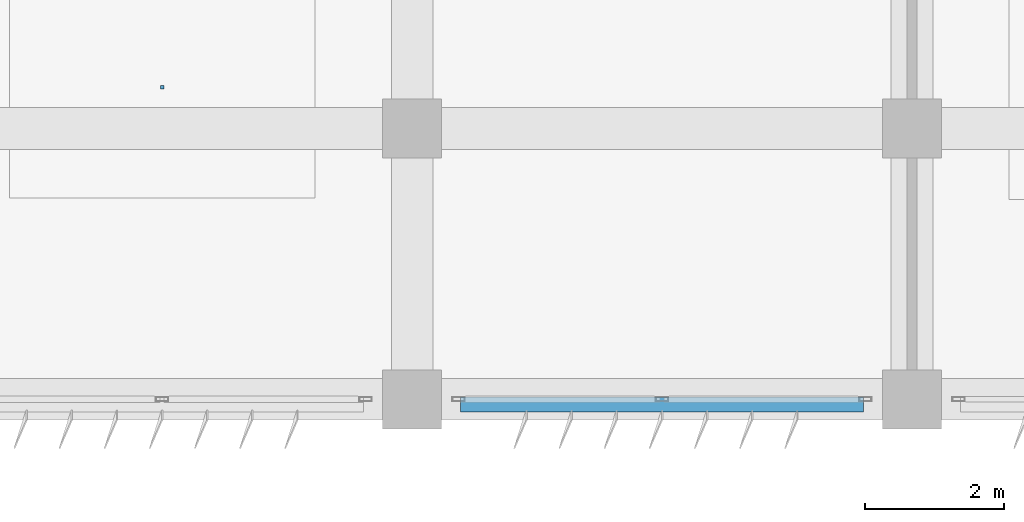
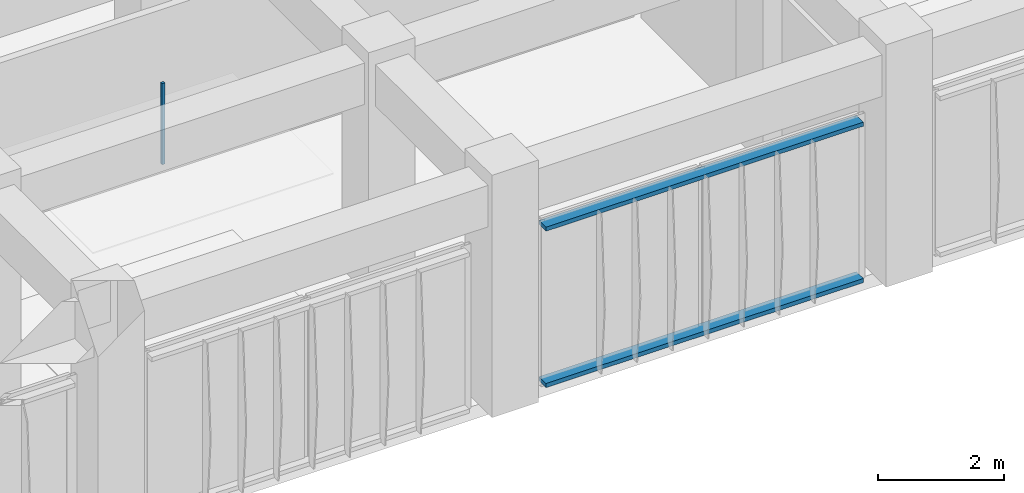
# One storey, part 36 of 55: 3 discrete accessories.
"""IFC4 building model written with IfcOpenShell, lengths in metres."""

from ifc_helpers import new_model, si_unit, direction, frame, origin, origin_2d, place, context, subcontext, project, spatial, rectangle, extrude, material, type_object, element, save


model = new_model("IFC4")

# Units and contexts
model_context = context("Model", 3, precision=1e-05, world=origin(), true_north=direction((0.0, 1.0)))
body_context = subcontext(model_context, "Body", "Model", "MODEL_VIEW")
ifc_project = project(units=[si_unit("LENGTHUNIT", "METRE"), si_unit("AREAUNIT", "SQUARE_METRE"), si_unit("VOLUMEUNIT", "CUBIC_METRE"), si_unit("PLANEANGLEUNIT", "RADIAN"), si_unit("MASSUNIT", "GRAM", prefix="KILO")], contexts=[model_context])

# Site, building, storey
site_placement = place(None, origin())
site = spatial("IfcSite", under=ifc_project, at=site_placement, CompositionType="ELEMENT")
building_placement = place(site_placement, origin())
building = spatial("IfcBuilding", under=site, at=building_placement, Name="Kazehaya Institute of Natural Sciences", CompositionType="ELEMENT")
storey_placement = place(building_placement, frame((0.0, 0.0, 15.1201171875)))
storey = spatial("IfcBuildingStorey", under=building, at=storey_placement, Name="L03", CompositionType="ELEMENT", Elevation=15.1201171875)

# Discrete accessories
ifc_material_1 = material(Name="Aluminium alloy A6063S-T5", Category="aluminium")
discrete_accessory_type_1 = type_object("IfcDiscreteAccessoryType", Name="ACC-BRK-01", PredefinedType="BRACKET", material=ifc_material_1)
for number, where, z_axis, x_axis, name in (
    (1, (72.60009765625, 10.02490234375, 0.039794921875), (0.0, 0.0, 1.0), (-1.0, 0.0, 0.0), "L03 fin support outrigger rail 1"),
    (2, (72.60009765625, 10.02490234375, 3.059814453125), (0.0, 0.0, 1.0), (-1.0, 0.0, 0.0), "L03 fin support outrigger rail 2"),
):
    element("IfcDiscreteAccessory", number, at=place(storey_placement, frame(where, z_axis=z_axis, x_axis=x_axis)), inside=storey, type_object=discrete_accessory_type_1, Name=name, PredefinedType="BRACKET", context=body_context, shape_type="SweptSolid", body=[
        extrude(rectangle(XDim=5.800048828125, YDim=0.219970703125, at=origin_2d()), origin(), (0.0, 0.0, 1.0), 0.080078125),
    ])
ifc_material_2 = material(Name="Structural steel SN490B", Category="steel")
discrete_accessory_type_2 = type_object("IfcDiscreteAccessoryType", Name="ACC-CLG-HGR", PredefinedType="BRACKET", material=ifc_material_2)
discrete_accessory_placement = place(storey_placement, frame((65.40234375, 14.59619140625, 3.032470703125), z_axis=(0.0, 0.0, 1.0), x_axis=(1.0, 0.0, 0.0)))
element("IfcDiscreteAccessory", 3, at=discrete_accessory_placement, inside=storey, type_object=discrete_accessory_type_2, Name="L03 ceiling suspension hanger 32", PredefinedType="BRACKET", context=body_context, shape_type="SweptSolid", body=[
    extrude(rectangle(XDim=0.050048828125, YDim=0.050048828125, at=origin_2d()), origin(), (0.0, 0.0, 1.0), 1.5673828125),
])

save(model, "model.ifc")
